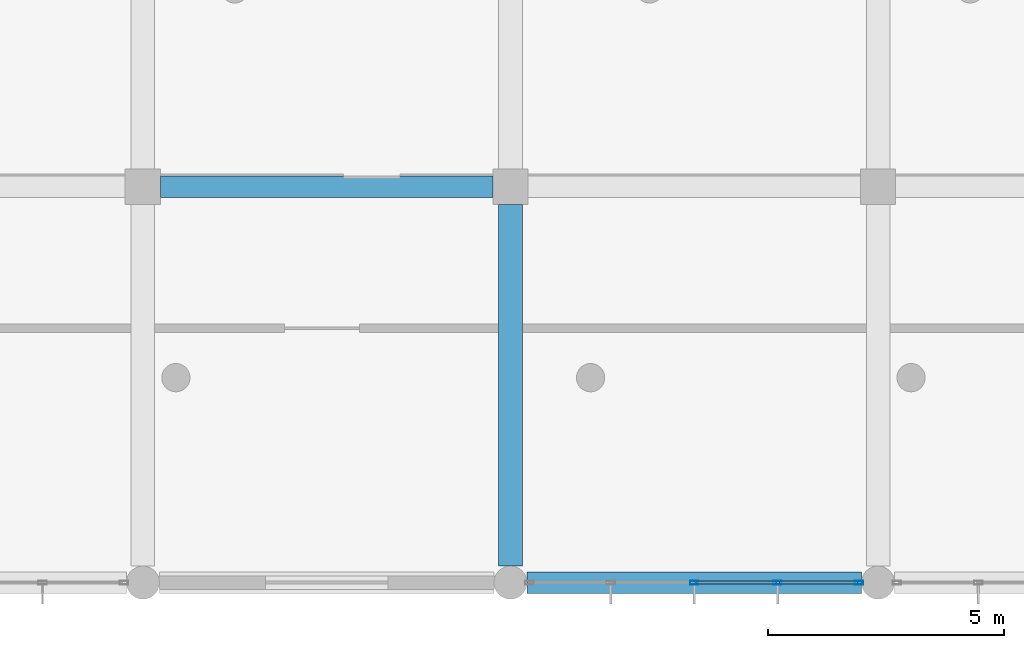
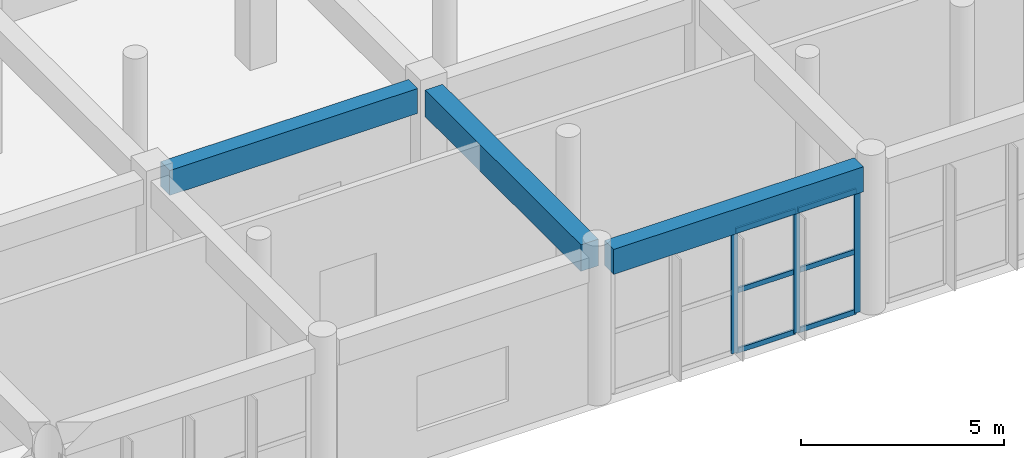
# One storey, part 38 of 175: 9 members, 3 beams, 1 element without a shape of its own.
"""IFC4 building model written with IfcOpenShell, lengths in metres."""

from ifc_helpers import new_model, si_unit, direction, frame, origin, origin_2d, place, context, subcontext, project, spatial, rectangle, hollow_rectangle, extrude, material, layer, layer_set, material_profile, profile_set, type_object, element, aggregate, save


model = new_model("IFC4")

# Units and contexts
model_context = context("Model", 3, precision=1e-05, world=origin(), true_north=direction((0.0, 1.0)))
body_context = subcontext(model_context, "Body", "Model", "MODEL_VIEW")
ifc_project = project(units=[si_unit("LENGTHUNIT", "METRE"), si_unit("AREAUNIT", "SQUARE_METRE"), si_unit("VOLUMEUNIT", "CUBIC_METRE"), si_unit("PLANEANGLEUNIT", "RADIAN"), si_unit("MASSUNIT", "GRAM", prefix="KILO")], contexts=[model_context])

# Site, building, storey
site_placement = place(None, origin())
site = spatial("IfcSite", under=ifc_project, at=site_placement, CompositionType="ELEMENT")
building_placement = place(site_placement, origin())
building = spatial("IfcBuilding", under=site, at=building_placement, Name="Zizhar Promenade General Hospital", CompositionType="ELEMENT")
storey_placement = place(building_placement, frame((0.0, 0.0, 4.800048828125)))
storey = spatial("IfcBuildingStorey", under=building, at=storey_placement, Name="L01", CompositionType="ELEMENT", Elevation=4.800048828125)

# Beams
ifc_material_1 = material(Name="Concrete C35/45", Category="concrete")
ifc_material_profile_1 = material_profile(ifc_material_1, rectangle(XDim=0.449951171875, YDim=0.75, at=origin_2d()))
ifc_profile_set_1 = profile_set([ifc_material_profile_1], Name="Concrete C35/45")
beam_type_1 = type_object("IfcBeamType", Name="BM-RC-450x750", PredefinedType="BEAM", material=ifc_profile_set_1)
beam_1_placement = place(storey_placement, frame((109.574951171875, 8.39990234375, 4.094970703125), z_axis=(1.0, 0.0, 0.0), x_axis=(0.0, 1.0, 0.0)))
element("IfcBeam", 1, at=beam_1_placement, inside=storey, type_object=beam_type_1, Name="Grid Beam X L01 (14-1)", PredefinedType="BEAM", context=body_context, shape_type="SweptSolid", body=[
    extrude(rectangle(XDim=0.449951171875, YDim=0.75, at=origin_2d()), origin(), (0.0, 0.0, 1.0), 7.050048828125),
])
beam_2_placement = place(storey_placement, frame((117.35009765625, 0.0, 4.094970703125), z_axis=(1.0, 0.0, 0.0), x_axis=(0.0, 1.0, 0.0)))
element("IfcBeam", 2, at=beam_2_placement, inside=storey, type_object=beam_type_1, Name="Grid Beam X L01 (15-0)", PredefinedType="BEAM", context=body_context, shape_type="SweptSolid", body=[
    extrude(rectangle(XDim=0.449951171875, YDim=0.75, at=origin_2d()), origin(), (0.0, 0.0, 1.0), 7.099853515625),
])
ifc_material_2 = material(Name="Concrete C35/45", Category="concrete")
ifc_material_profile_2 = material_profile(ifc_material_2, rectangle(XDim=0.5, YDim=0.800048828125, at=origin_2d()))
ifc_profile_set_2 = profile_set([ifc_material_profile_2], Name="Concrete C35/45")
beam_type_2 = type_object("IfcBeamType", Name="BM-RC-500x800", PredefinedType="BEAM", material=ifc_profile_set_2)
beam_3_placement = place(storey_placement, frame((117.0, 0.35009765625, 4.070068359375), z_axis=(0.0, 1.0, 0.0), x_axis=(-1.0, 0.0, 0.0)))
element("IfcBeam", 3, at=beam_3_placement, inside=storey, type_object=beam_type_2, Name="Grid Beam Y L01 (15-0)", PredefinedType="BEAM", context=body_context, shape_type="SweptSolid", body=[
    extrude(rectangle(XDim=0.5, YDim=0.800048828125, at=origin_2d()), origin(), (0.0, 0.0, 1.0), 7.6748046875),
])

# Curtain wall, members
ifc_material_3 = material(Name="Anodised aluminium 6063-T6 and low-E glass", Category="aluminium")
ifc_layer = layer(ifc_material_3, 0.159912109375)
ifc_layer_set = layer_set([ifc_layer], Name="Anodised aluminium 6063-T6 and low-E glass")
curtain_wall_type = type_object("IfcCurtainWallType", Name="CW-DT-MOD1", PredefinedType="NOTDEFINED", material=ifc_layer_set)
curtain_wall_placement = place(storey_placement, origin())
curtain_wall = element("IfcCurtainWall", 4, at=curtain_wall_placement, inside=storey, type_object=curtain_wall_type, Name="Riverfront Clinical Curtain Wall L01-14", PredefinedType="NOTDEFINED")
ifc_material_4 = material(Name="Anodised aluminium 6063-T6", Category="aluminium")
ifc_material_profile_3 = material_profile(ifc_material_4, hollow_rectangle(XDim=0.080078125, YDim=0.179931640625, WallThickness=0.0048828125, at=origin_2d()))
ifc_profile_set_3 = profile_set([ifc_material_profile_3], Name="Anodised aluminium 6063-T6")
member_type_1 = type_object("IfcMemberType", Name="CWM-ALU-180x80", PredefinedType="MULLION", material=ifc_profile_set_3)
member_1_placement = place(storey_placement, frame((124.39990234375, 0.0, 0.0), z_axis=(0.0, 0.0, 1.0), x_axis=(0.0, -1.0, 0.0)))
member_1 = element("IfcMember", 5, at=member_1_placement, type_object=member_type_1, Name="CW-07 mullion 1", PredefinedType="MULLION", context=body_context, shape_type="SweptSolid", body=[
    extrude(hollow_rectangle(XDim=0.080078125, YDim=0.179931640625, WallThickness=0.0048828125, at=origin_2d()), origin(), (0.0, 0.0, 1.0), 3.679931640625),
])
member_2_placement = place(storey_placement, frame((122.669921875, 0.0, 0.0), z_axis=(0.0, 0.0, 1.0), x_axis=(0.0, -1.0, 0.0)))
member_2 = element("IfcMember", 6, at=member_2_placement, type_object=member_type_1, Name="CW-07 mullion 2", PredefinedType="MULLION", context=body_context, shape_type="SweptSolid", body=[
    extrude(hollow_rectangle(XDim=0.080078125, YDim=0.179931640625, WallThickness=0.0048828125, at=origin_2d()), origin(), (0.0, 0.0, 1.0), 3.679931640625),
])
member_3_placement = place(storey_placement, frame((120.89990234375, 0.0, 0.0), z_axis=(0.0, 0.0, 1.0), x_axis=(0.0, -1.0, 0.0)))
member_3 = element("IfcMember", 7, at=member_3_placement, type_object=member_type_1, Name="CW-07 mullion 3", PredefinedType="MULLION", context=body_context, shape_type="SweptSolid", body=[
    extrude(hollow_rectangle(XDim=0.080078125, YDim=0.179931640625, WallThickness=0.0048828125, at=origin_2d()), origin(), (0.0, 0.0, 1.0), 3.679931640625),
])
ifc_material_5 = material(Name="Anodised aluminium 6063-T6", Category="aluminium")
ifc_material_profile_4 = material_profile(ifc_material_5, hollow_rectangle(XDim=0.06005859375, YDim=0.14990234375, WallThickness=0.00390625, at=origin_2d()))
ifc_profile_set_4 = profile_set([ifc_material_profile_4], Name="Anodised aluminium 6063-T6")
member_type_2 = type_object("IfcMemberType", Name="CWT-ALU-150x60", PredefinedType="USERDEFINED", material=ifc_profile_set_4)
member_4_placement = place(storey_placement, frame((124.360107421875, 0.0, 0.030029296875), z_axis=(-1.0, 0.0, 0.0), x_axis=(0.0, -1.0, 0.0)))
member_4 = element("IfcMember", 8, at=member_4_placement, type_object=member_type_2, Name="CW-07 transom 1.1", ObjectType="TRANSOM", PredefinedType="USERDEFINED", context=body_context, shape_type="SweptSolid", body=[
    extrude(hollow_rectangle(XDim=0.06005859375, YDim=0.14990234375, WallThickness=0.00390625, at=origin_2d()), origin(), (0.0, 0.0, 1.0), 1.650146484375),
])
member_5_placement = place(storey_placement, frame((124.360107421875, 0.0, 1.83984375), z_axis=(-1.0, 0.0, 0.0), x_axis=(0.0, -1.0, 0.0)))
member_5 = element("IfcMember", 9, at=member_5_placement, type_object=member_type_2, Name="CW-07 transom 1.2", ObjectType="TRANSOM", PredefinedType="USERDEFINED", context=body_context, shape_type="SweptSolid", body=[
    extrude(hollow_rectangle(XDim=0.06005859375, YDim=0.14990234375, WallThickness=0.00390625, at=origin_2d()), origin(), (0.0, 0.0, 1.0), 1.650146484375),
])
member_6_placement = place(storey_placement, frame((124.360107421875, 0.0, 3.64990234375), z_axis=(-1.0, 0.0, 0.0), x_axis=(0.0, -1.0, 0.0)))
member_6 = element("IfcMember", 10, at=member_6_placement, type_object=member_type_2, Name="CW-07 transom 1.3", ObjectType="TRANSOM", PredefinedType="USERDEFINED", context=body_context, shape_type="SweptSolid", body=[
    extrude(hollow_rectangle(XDim=0.06005859375, YDim=0.14990234375, WallThickness=0.00390625, at=origin_2d()), origin(), (0.0, 0.0, 1.0), 1.650146484375),
])
member_7_placement = place(storey_placement, frame((122.6298828125, 0.0, 0.030029296875), z_axis=(-1.0, 0.0, 0.0), x_axis=(0.0, -1.0, 0.0)))
member_7 = element("IfcMember", 11, at=member_7_placement, type_object=member_type_2, Name="CW-07 transom 2.1", ObjectType="TRANSOM", PredefinedType="USERDEFINED", context=body_context, shape_type="SweptSolid", body=[
    extrude(hollow_rectangle(XDim=0.06005859375, YDim=0.14990234375, WallThickness=0.00390625, at=origin_2d()), origin(), (0.0, 0.0, 1.0), 1.68994140625),
])
member_8_placement = place(storey_placement, frame((122.6298828125, 0.0, 1.83984375), z_axis=(-1.0, 0.0, 0.0), x_axis=(0.0, -1.0, 0.0)))
member_8 = element("IfcMember", 12, at=member_8_placement, type_object=member_type_2, Name="CW-07 transom 2.2", ObjectType="TRANSOM", PredefinedType="USERDEFINED", context=body_context, shape_type="SweptSolid", body=[
    extrude(hollow_rectangle(XDim=0.06005859375, YDim=0.14990234375, WallThickness=0.00390625, at=origin_2d()), origin(), (0.0, 0.0, 1.0), 1.68994140625),
])
member_9_placement = place(storey_placement, frame((122.6298828125, 0.0, 3.64990234375), z_axis=(-1.0, 0.0, 0.0), x_axis=(0.0, -1.0, 0.0)))
member_9 = element("IfcMember", 13, at=member_9_placement, type_object=member_type_2, Name="CW-07 transom 2.3", ObjectType="TRANSOM", PredefinedType="USERDEFINED", context=body_context, shape_type="SweptSolid", body=[
    extrude(hollow_rectangle(XDim=0.06005859375, YDim=0.14990234375, WallThickness=0.00390625, at=origin_2d()), origin(), (0.0, 0.0, 1.0), 1.68994140625),
])
aggregate(curtain_wall, [member_1, member_2, member_3, member_4, member_5, member_6, member_7, member_8, member_9])

save(model, "model.ifc")
